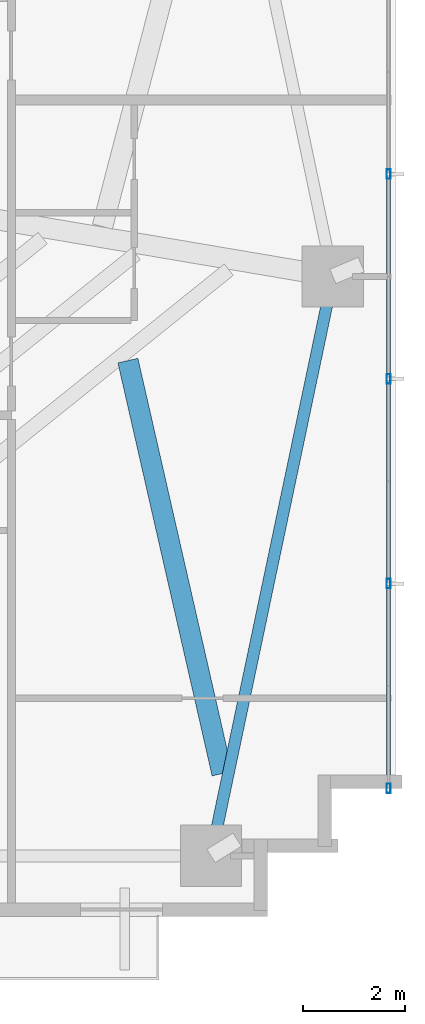
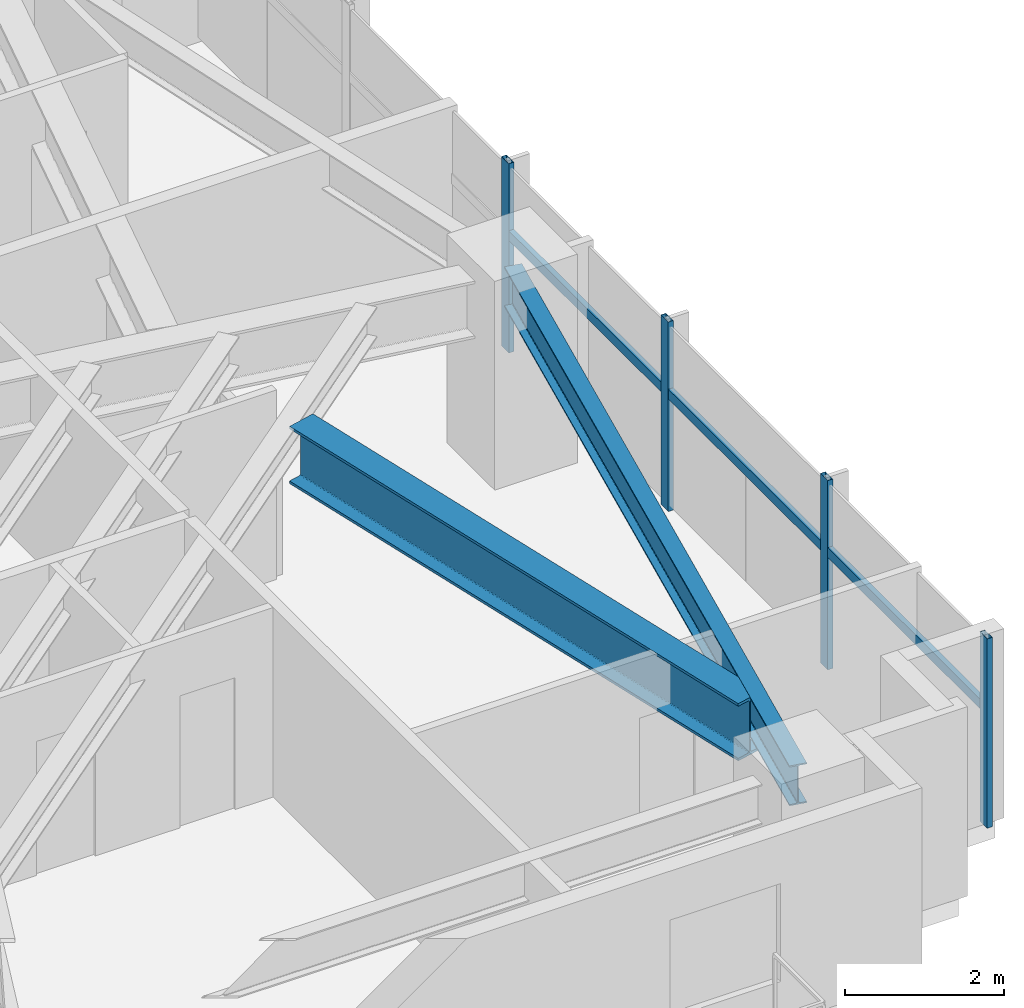
# One storey, part 14 of 25: 7 members, 2 beams, 1 element without a shape of its own.
"""IFC4 building model written with IfcOpenShell, lengths in metres."""

from ifc_helpers import new_model, si_unit, direction, frame, origin, origin_2d, place, context, subcontext, project, spatial, hollow_rectangle, i_section, extrude, source, transform, mapped, material, material_profile, profile_set, type_object, type_shapes, element, aggregate, save


model = new_model("IFC4")

# Units and contexts
model_context = context("Model", 3, precision=1e-05, world=origin(), true_north=direction((0.0, 1.0)))
body_context = subcontext(model_context, "Body", "Model", "MODEL_VIEW")
ifc_project = project(units=[si_unit("LENGTHUNIT", "METRE"), si_unit("AREAUNIT", "SQUARE_METRE"), si_unit("VOLUMEUNIT", "CUBIC_METRE"), si_unit("PLANEANGLEUNIT", "RADIAN"), si_unit("MASSUNIT", "GRAM", prefix="KILO")], contexts=[model_context])

# Site, building, storey
site_placement = place(None, origin())
site = spatial("IfcSite", under=ifc_project, at=site_placement, CompositionType="ELEMENT")
building_placement = place(site_placement, origin())
building = spatial("IfcBuilding", under=site, at=building_placement, Name="Astriad Promenade Condominiums", CompositionType="ELEMENT")
storey_placement = place(building_placement, frame((0.0, 0.0, 64.60009765625)))
storey = spatial("IfcBuildingStorey", under=building, at=storey_placement, Name="L18", CompositionType="ELEMENT", Elevation=64.60009765625)

# Beams
ifc_material_1 = material(Name="Steel ASTM A992 Grade 50", Category="steel")
ifc_material_profile_1 = material_profile(ifc_material_1, i_section(OverallWidth=0.22900390625, OverallDepth=0.612060546875, WebThickness=0.011962890625, FlangeThickness=0.01953125, FilletRadius=0.017822265625, at=origin_2d()), Name="W24X84")
ifc_profile_set_1 = profile_set([ifc_material_profile_1], Name="Steel ASTM A992 Grade 50")
beam_type_1 = type_object("IfcBeamType", Name="STEEL SPANDREL BEAM W24X84", PredefinedType="SPANDREL", material=ifc_profile_set_1)
shared_shape_1 = source(origin(), body_context, "Body", "SweptSolid", [
    extrude(i_section(OverallWidth=0.22900390625, OverallDepth=0.612060546875, WebThickness=0.011962890625, FlangeThickness=0.01953125, FilletRadius=0.017822265625, at=origin_2d()), origin(), (0.0, 0.0, 1.0), 11.487548828125),
])
type_shapes(beam_type_1, [shared_shape_1])
beam_1_placement = place(storey_placement, frame((56.208251953125, 3.919189453125, 2.593994140625), z_axis=(0.205748055501, 0.978604995725, 0.0), x_axis=(-0.978604995725, 0.205748055501, 0.0)))
element("IfcBeam", 1, at=beam_1_placement, inside=storey, type_object=beam_type_1, Name="Perimeter Spandrel Beam SP-E1-L18", PredefinedType="SPANDREL", context=body_context, shape_type="MappedRepresentation", body=[
    mapped(shared_shape_1, transform((0.0, 0.0, 0.0), scale=1.0)),
])
ifc_material_profile_2 = material_profile(ifc_material_1, i_section(OverallWidth=0.4013671875, OverallDepth=0.877197265625, WebThickness=0.022216796875, FlangeThickness=0.039794921875, FilletRadius=0.02294921875, at=origin_2d()), Name="W33X263")
ifc_profile_set_2 = profile_set([ifc_material_profile_2], Name="Steel ASTM A992 Grade 50")
beam_type_2 = type_object("IfcBeamType", Name="STEEL TRANSFER CARRIER GIRDER W33X263", PredefinedType="BEAM", material=ifc_profile_set_2)
shared_shape_2 = source(origin(), body_context, "Body", "SweptSolid", [
    extrude(i_section(OverallWidth=0.4013671875, OverallDepth=0.877197265625, WebThickness=0.022216796875, FlangeThickness=0.039794921875, FilletRadius=0.02294921875, at=origin_2d()), origin(), (0.0, 0.0, 1.0), 8.2763671875),
])
type_shapes(beam_type_2, [shared_shape_2])
beam_2_placement = place(storey_placement, frame((54.576171875, 13.556884765625, 2.461181640625), z_axis=(0.222389852516, -0.974957821394, 0.0), x_axis=(0.974957821394, 0.222389852516, 0.0)))
element("IfcBeam", 2, at=beam_2_placement, inside=storey, type_object=beam_type_2, Name="Transfer Splice Carrier TRM-SP-PC05-L18", PredefinedType="BEAM", context=body_context, shape_type="MappedRepresentation", body=[
    mapped(shared_shape_2, transform((0.0, 0.0, 0.0), scale=1.0)),
])

# Curtain wall, members
ifc_material_2 = material(Name="Anodised aluminium Black Dark Glass Unitised", Category="aluminium")
curtain_wall_type = type_object("IfcCurtainWallType", Name="CW-B1-DARK", PredefinedType="USERDEFINED", material=ifc_material_2)
curtain_wall_placement = place(storey_placement, origin())
curtain_wall = element("IfcCurtainWall", 3, at=curtain_wall_placement, inside=storey, type_object=curtain_wall_type, Name="CW-L18-E", ObjectType="UNITISED_CURTAIN_WALL", PredefinedType="USERDEFINED")
ifc_material_3 = material(Name="Anodised aluminium 6063-T6 Black", Category="aluminium")
ifc_material_profile_3 = material_profile(ifc_material_3, hollow_rectangle(XDim=0.074951171875, YDim=0.14990234375, WallThickness=0.004150390625, at=origin_2d()), Name="ALU-TRN-75X150")
ifc_profile_set_3 = profile_set([ifc_material_profile_3], Name="Anodised aluminium 6063-T6 Black")
member_type_1 = type_object("IfcMemberType", Name="TRN-ALU-TRN-75X150", PredefinedType="USERDEFINED", material=ifc_profile_set_3)
shared_shape_3 = source(origin(), body_context, "Body", "SweptSolid", [
    extrude(hollow_rectangle(XDim=0.074951171875, YDim=0.14990234375, WallThickness=0.004150390625, at=origin_2d()), origin(), (0.0, 0.0, 1.0), 4.0),
])
type_shapes(member_type_1, [shared_shape_3])
member_1_placement = place(storey_placement, frame((59.669921875, 17.199951171875, 1.7978515625), z_axis=(0.0, -1.0, 0.0), x_axis=(1.0, 0.0, 0.0)))
member_1 = element("IfcMember", 4, at=member_1_placement, type_object=member_type_1, Name="CW-L18-E-TRN-02-0", ObjectType="TRANSOM", PredefinedType="USERDEFINED", context=body_context, shape_type="MappedRepresentation", body=[
    mapped(shared_shape_3, transform((0.0, 0.0, 0.0), scale=1.0)),
])
member_2_placement = place(storey_placement, frame((59.669921875, 13.199951171875, 1.7978515625), z_axis=(0.0, -1.0, 0.0), x_axis=(1.0, 0.0, 0.0)))
member_2 = element("IfcMember", 5, at=member_2_placement, type_object=member_type_1, Name="CW-L18-E-TRN-03-0", ObjectType="TRANSOM", PredefinedType="USERDEFINED", context=body_context, shape_type="MappedRepresentation", body=[
    mapped(shared_shape_3, transform((0.0, 0.0, 0.0), scale=1.0)),
])
member_3_placement = place(storey_placement, frame((59.669921875, 9.199951171875, 1.7978515625), z_axis=(0.0, -1.0, 0.0), x_axis=(1.0, 0.0, 0.0)))
member_3 = element("IfcMember", 6, at=member_3_placement, type_object=member_type_1, Name="CW-L18-E-TRN-04-0", ObjectType="TRANSOM", PredefinedType="USERDEFINED", context=body_context, shape_type="MappedRepresentation", body=[
    mapped(shared_shape_3, transform((0.0, 0.0, 0.0), scale=1.0)),
])
ifc_material_profile_4 = material_profile(ifc_material_3, hollow_rectangle(XDim=0.074951171875, YDim=0.18505859375, WallThickness=0.00439453125, at=origin_2d()), Name="ALU-MUL-75X185")
ifc_profile_set_4 = profile_set([ifc_material_profile_4], Name="Anodised aluminium 6063-T6 Black")
member_type_2 = type_object("IfcMemberType", Name="MUL-ALU-MUL-75X185", PredefinedType="MULLION", material=ifc_profile_set_4)
shared_shape_4 = source(origin(), body_context, "Body", "SweptSolid", [
    extrude(hollow_rectangle(XDim=0.074951171875, YDim=0.18505859375, WallThickness=0.00439453125, at=origin_2d()), origin(), (0.0, 0.0, 1.0), 2.89990234375),
])
type_shapes(member_type_2, [shared_shape_4])
member_4_placement = place(storey_placement, frame((59.669921875, 17.199951171875, 0.0), z_axis=(0.0, 0.0, 1.0), x_axis=(1.0, 0.0, 0.0)))
member_4 = element("IfcMember", 7, at=member_4_placement, type_object=member_type_2, Name="CW-L18-E-MUL-02", PredefinedType="MULLION", context=body_context, shape_type="MappedRepresentation", body=[
    mapped(shared_shape_4, transform((0.0, 0.0, 0.0), scale=1.0)),
])
member_5_placement = place(storey_placement, frame((59.669921875, 13.199951171875, 0.0), z_axis=(0.0, 0.0, 1.0), x_axis=(1.0, 0.0, 0.0)))
member_5 = element("IfcMember", 8, at=member_5_placement, type_object=member_type_2, Name="CW-L18-E-MUL-03", PredefinedType="MULLION", context=body_context, shape_type="MappedRepresentation", body=[
    mapped(shared_shape_4, transform((0.0, 0.0, 0.0), scale=1.0)),
])
member_6_placement = place(storey_placement, frame((59.669921875, 9.199951171875, 0.0), z_axis=(0.0, 0.0, 1.0), x_axis=(1.0, 0.0, 0.0)))
member_6 = element("IfcMember", 9, at=member_6_placement, type_object=member_type_2, Name="CW-L18-E-MUL-04", PredefinedType="MULLION", context=body_context, shape_type="MappedRepresentation", body=[
    mapped(shared_shape_4, transform((0.0, 0.0, 0.0), scale=1.0)),
])
member_7_placement = place(storey_placement, frame((59.669921875, 5.199951171875, 0.0), z_axis=(0.0, 0.0, 1.0), x_axis=(1.0, 0.0, 0.0)))
member_7 = element("IfcMember", 10, at=member_7_placement, type_object=member_type_2, Name="CW-L18-E-MUL-05", PredefinedType="MULLION", context=body_context, shape_type="MappedRepresentation", body=[
    mapped(shared_shape_4, transform((0.0, 0.0, 0.0), scale=1.0)),
])
aggregate(curtain_wall, [member_4, member_5, member_6, member_7, member_1, member_2, member_3])

save(model, "model.ifc")
